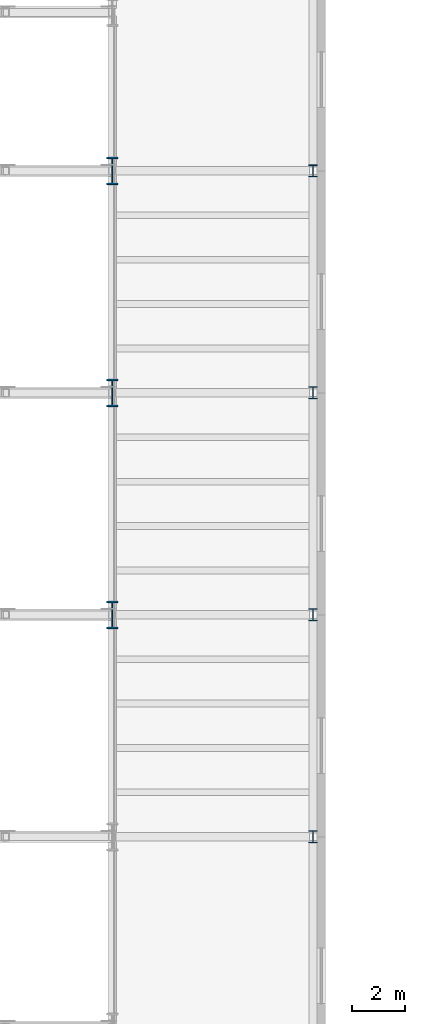
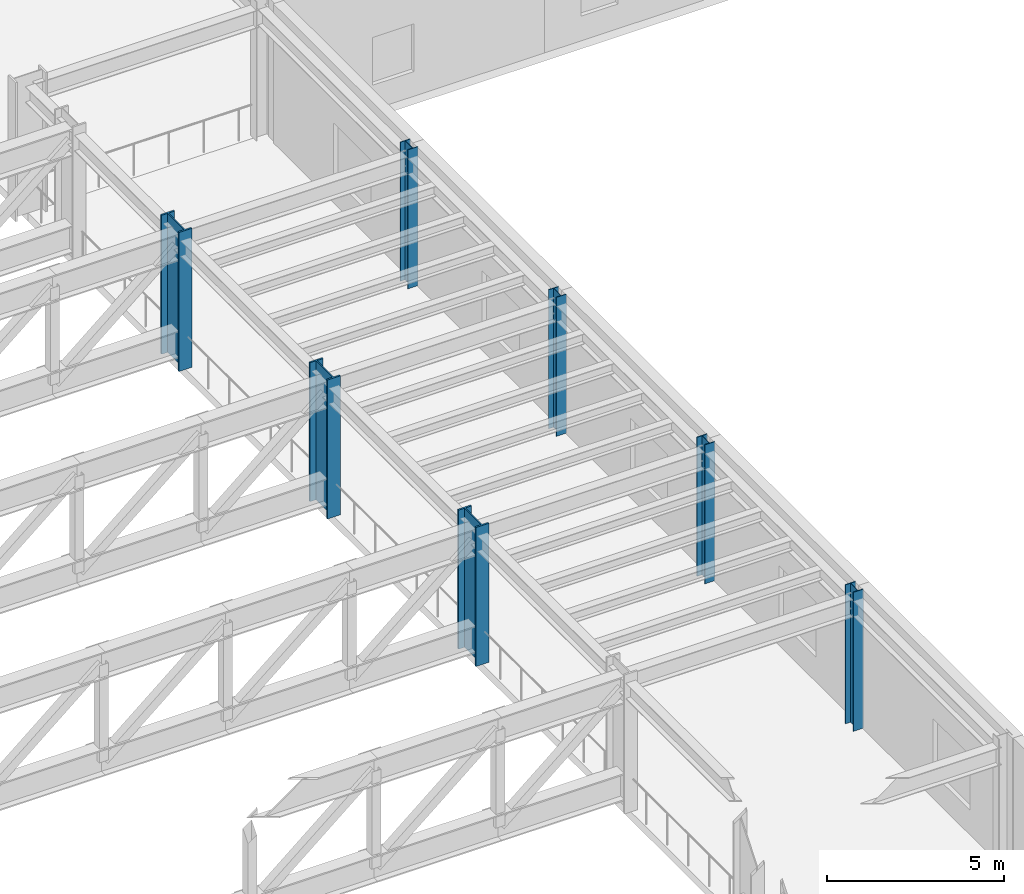
# One storey, part 4 of 91: 7 columns.
"""IFC4 building model written with IfcOpenShell, lengths in metres."""

from ifc_helpers import new_model, si_unit, direction, frame, origin, origin_2d, place, context, subcontext, project, spatial, i_section, extrude, material, material_profile, profile_set, type_object, element, save


model = new_model("IFC4")

# Units and contexts
model_context = context("Model", 3, precision=1e-05, world=origin(), true_north=direction((0.0, 1.0)))
body_context = subcontext(model_context, "Body", "Model", "MODEL_VIEW")
ifc_project = project(units=[si_unit("LENGTHUNIT", "METRE"), si_unit("AREAUNIT", "SQUARE_METRE"), si_unit("VOLUMEUNIT", "CUBIC_METRE"), si_unit("PLANEANGLEUNIT", "RADIAN"), si_unit("MASSUNIT", "GRAM", prefix="KILO")], contexts=[model_context])

# Site, building, storey
site_placement = place(None, origin())
site = spatial("IfcSite", under=ifc_project, at=site_placement, CompositionType="ELEMENT")
building_placement = place(site_placement, origin())
building = spatial("IfcBuilding", under=site, at=building_placement, Name="Sollismere Congress Hotel", CompositionType="ELEMENT")
storey_placement = place(building_placement, frame((0.0, 0.0, 10.800048828125)))
storey = spatial("IfcBuildingStorey", under=building, at=storey_placement, Name="L02", CompositionType="ELEMENT", Elevation=10.800048828125)

# Columns
ifc_material = material(Name="Steel ASTM A992 Grade 50", Category="steel")
ifc_material_profile_1 = material_profile(ifc_material, i_section(OverallWidth=0.330078125, OverallDepth=0.4599609375, WebThickness=0.016357421875, FlangeThickness=0.026123046875, at=origin_2d()), Name="W14X132")
ifc_profile_set_1 = profile_set([ifc_material_profile_1], Name="Steel ASTM A992 Grade 50")
column_type_1 = type_object("IfcColumnType", Name="COL-W14H", PredefinedType="COLUMN", material=ifc_profile_set_1)
for number, where, z_axis, x_axis, name in (
    (1, (58.0, 33.199951171875, 0.0), (0.0, 0.0, 1.0), (1.0, 0.0, 0.0), "Column CL-L02-251"),
    (2, (58.0, 41.60009765625, 0.0), (0.0, 0.0, 1.0), (1.0, 0.0, 0.0), "Column CL-L02-255"),
    (3, (58.0, 50.0, 0.0), (0.0, 0.0, 1.0), (1.0, 0.0, 0.0), "Column CL-L02-259"),
    (4, (58.0, 58.39990234375, 0.0), (0.0, 0.0, 1.0), (1.0, 0.0, 0.0), "Column CL-L02-263"),
):
    element("IfcColumn", number, at=place(storey_placement, frame(where, z_axis=z_axis, x_axis=x_axis)), inside=storey, type_object=column_type_1, Name=name, PredefinedType="COLUMN", context=body_context, shape_type="SweptSolid", body=[
        extrude(i_section(OverallWidth=0.330078125, OverallDepth=0.4599609375, WebThickness=0.016357421875, FlangeThickness=0.026123046875, at=origin_2d()), origin(), (0.0, 0.0, 1.0), 4.800048828125),
    ])
ifc_material_profile_2 = material_profile(ifc_material, i_section(OverallWidth=0.427001953125, OverallDepth=1.041015625, WebThickness=0.031005859375, FlangeThickness=0.055908203125, at=origin_2d()), Name="W40X397")
ifc_profile_set_2 = profile_set([ifc_material_profile_2], Name="Steel ASTM A992 Grade 50")
column_type_2 = type_object("IfcColumnType", Name="COL-W40", PredefinedType="COLUMN", material=ifc_profile_set_2)
for number, where, z_axis, x_axis, name in (
    (5, (50.39990234375, 41.60009765625, 0.0), (0.0, 0.0, 1.0), (1.0, 0.0, 0.0), "Column CL-L02-212"),
    (6, (50.39990234375, 50.0, 0.0), (0.0, 0.0, 1.0), (1.0, 0.0, 0.0), "Column CL-L02-216"),
    (7, (50.39990234375, 58.39990234375, 0.0), (0.0, 0.0, 1.0), (1.0, 0.0, 0.0), "Column CL-L02-220"),
):
    element("IfcColumn", number, at=place(storey_placement, frame(where, z_axis=z_axis, x_axis=x_axis)), inside=storey, type_object=column_type_2, Name=name, PredefinedType="COLUMN", context=body_context, shape_type="SweptSolid", body=[
        extrude(i_section(OverallWidth=0.427001953125, OverallDepth=1.041015625, WebThickness=0.031005859375, FlangeThickness=0.055908203125, at=origin_2d()), origin(), (0.0, 0.0, 1.0), 4.800048828125),
    ])

save(model, "model.ifc")
